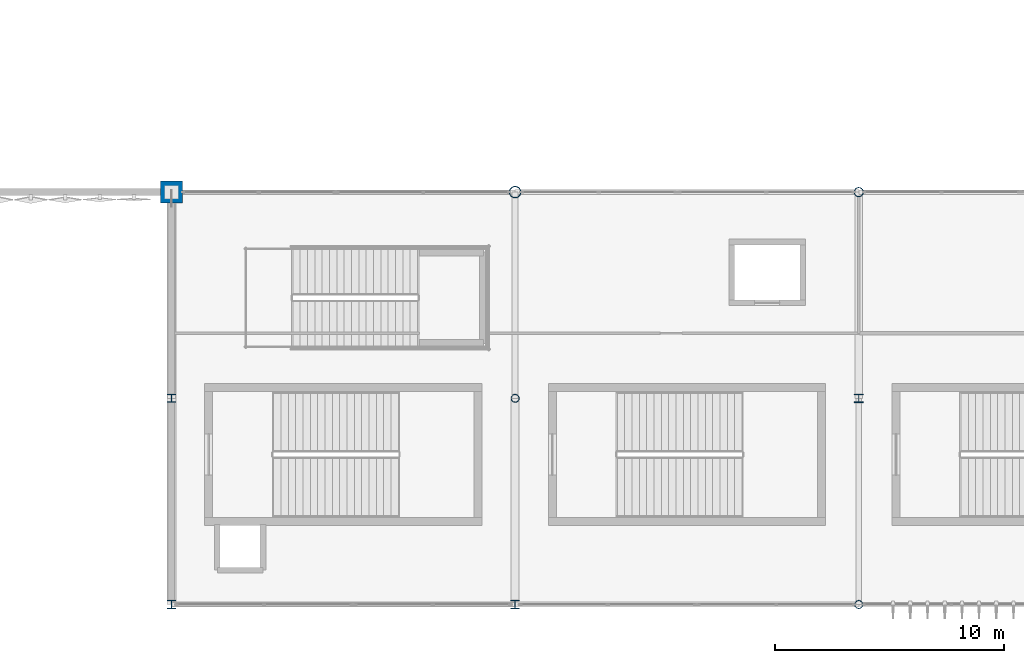
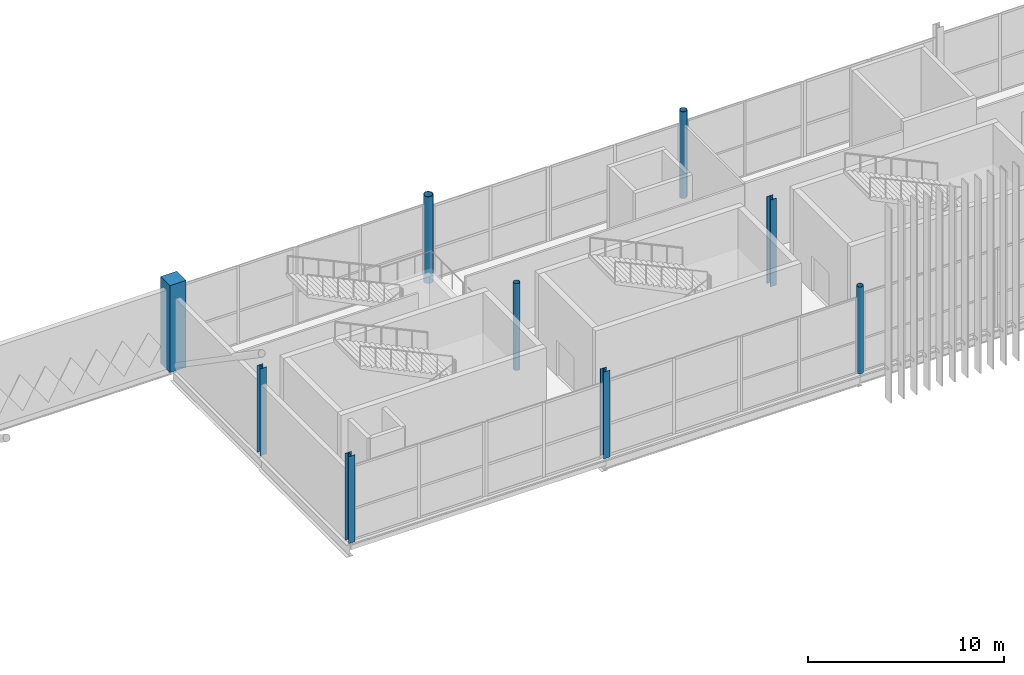
# One storey, part 3 of 119: 9 columns.
"""IFC4 building model written with IfcOpenShell, lengths in metres."""

from ifc_helpers import new_model, si_unit, direction, frame, origin, origin_2d, place, context, subcontext, project, spatial, rectangle, hollow_circle, i_section, extrude, material, material_profile, profile_set, type_object, element, save


model = new_model("IFC4")

# Units and contexts
model_context = context("Model", 3, precision=1e-05, world=origin(), true_north=direction((0.0, 1.0)))
body_context = subcontext(model_context, "Body", "Model", "MODEL_VIEW")
ifc_project = project(units=[si_unit("LENGTHUNIT", "METRE"), si_unit("AREAUNIT", "SQUARE_METRE"), si_unit("VOLUMEUNIT", "CUBIC_METRE"), si_unit("PLANEANGLEUNIT", "RADIAN"), si_unit("MASSUNIT", "GRAM", prefix="KILO")], contexts=[model_context])

# Site, building, storey
site_placement = place(None, origin())
site = spatial("IfcSite", under=ifc_project, at=site_placement, CompositionType="ELEMENT")
building_placement = place(site_placement, origin())
building = spatial("IfcBuilding", under=site, at=building_placement, Name="Qamarlyn Nura Convention Centre", CompositionType="ELEMENT")
storey_placement = place(building_placement, frame((0.0, 0.0, 5.39990234375)))
storey = spatial("IfcBuildingStorey", under=building, at=storey_placement, Name="L01", CompositionType="ELEMENT", Elevation=5.39990234375)

# Columns
ifc_material_1 = material(Name="Pearl-white PVDF steel ASTM A500 Grade C", Category="steel")
ifc_material_profile_1 = material_profile(ifc_material_1, hollow_circle(Radius=0.25390625, WallThickness=0.02001953125, at=origin_2d()), Name="CHS508X20")
ifc_profile_set_1 = profile_set([ifc_material_profile_1], Name="Pearl-white PVDF steel ASTM A500 Grade C")
column_type_1 = type_object("IfcColumnType", Name="COL-HALL-1", PredefinedType="COLUMN", material=ifc_profile_set_1)
column_1_placement = place(storey_placement, frame((75.0, 18.0, 0.0), z_axis=(0.0, 0.0, 1.0), x_axis=(1.0, 0.0, 0.0)))
element("IfcColumn", 1, at=column_1_placement, inside=storey, type_object=column_type_1, Name="L01 column 6/C", PredefinedType="COLUMN", context=body_context, shape_type="SweptSolid", body=[
    extrude(hollow_circle(Radius=0.25390625, WallThickness=0.02001953125, at=origin_2d()), origin(), (0.0, 0.0, 1.0), 5.400146484375),
])
ifc_material_2 = material(Name="Concrete C50/60", Category="concrete")
ifc_material_profile_2 = material_profile(ifc_material_2, rectangle(XDim=0.949951171875, YDim=0.949951171875, at=origin_2d()), Name="RC 950x950")
ifc_profile_set_2 = profile_set([ifc_material_profile_2], Name="Concrete C50/60")
column_type_2 = type_object("IfcColumnType", Name="COL-HALL-2", PredefinedType="COLUMN", material=ifc_profile_set_2)
column_2_placement = place(storey_placement, frame((60.0, 18.0, 0.0), z_axis=(0.0, 0.0, 1.0), x_axis=(1.0, 0.0, 0.0)))
element("IfcColumn", 2, at=column_2_placement, inside=storey, type_object=column_type_2, Name="L01 column 5/C", PredefinedType="COLUMN", context=body_context, shape_type="SweptSolid", body=[
    extrude(rectangle(XDim=0.949951171875, YDim=0.949951171875, at=origin_2d()), origin(), (0.0, 0.0, 1.0), 5.400146484375),
])
ifc_material_profile_3 = material_profile(ifc_material_1, hollow_circle(Radius=0.203125, WallThickness=0.01611328125, at=origin_2d()), Name="CHS406.4X16")
ifc_profile_set_3 = profile_set([ifc_material_profile_3], Name="Pearl-white PVDF steel ASTM A500 Grade C")
column_type_3 = type_object("IfcColumnType", Name="COL-TUBE-1", PredefinedType="COLUMN", material=ifc_profile_set_3)
column_3_placement = place(storey_placement, frame((90.0, 18.0, 0.0), z_axis=(0.0, 0.0, 1.0), x_axis=(1.0, 0.0, 0.0)))
element("IfcColumn", 3, at=column_3_placement, inside=storey, type_object=column_type_3, Name="L01 column 7/C", PredefinedType="COLUMN", context=body_context, shape_type="SweptSolid", body=[
    extrude(hollow_circle(Radius=0.203125, WallThickness=0.01611328125, at=origin_2d()), origin(), (0.0, 0.0, 1.0), 5.400146484375),
])
ifc_material_profile_4 = material_profile(ifc_material_1, hollow_circle(Radius=0.177734375, WallThickness=0.01611328125, at=origin_2d()), Name="CHS355.6X16")
ifc_profile_set_4 = profile_set([ifc_material_profile_4], Name="Pearl-white PVDF steel ASTM A500 Grade C")
column_type_4 = type_object("IfcColumnType", Name="COL-TUBE-2", PredefinedType="COLUMN", material=ifc_profile_set_4)
for number, where, z_axis, x_axis, name in (
    (4, (75.0, 9.0, 0.0), (0.0, 0.0, 1.0), (1.0, 0.0, 0.0), "L01 column 6/B"),
    (5, (90.0, 0.0, 0.0), (0.0, 0.0, 1.0), (1.0, 0.0, 0.0), "L01 column 7/A"),
):
    element("IfcColumn", number, at=place(storey_placement, frame(where, z_axis=z_axis, x_axis=x_axis)), inside=storey, type_object=column_type_4, Name=name, PredefinedType="COLUMN", context=body_context, shape_type="SweptSolid", body=[
        extrude(hollow_circle(Radius=0.177734375, WallThickness=0.01611328125, at=origin_2d()), origin(), (0.0, 0.0, 1.0), 5.400146484375),
    ])
ifc_material_3 = material(Name="Steel ASTM A992", Category="steel")
ifc_material_profile_5 = material_profile(ifc_material_3, i_section(OverallWidth=0.3740234375, OverallDepth=0.3720703125, WebThickness=0.016357421875, FlangeThickness=0.026123046875, FilletRadius=0.01611328125, at=origin_2d()), Name="W360X196")
ifc_profile_set_5 = profile_set([ifc_material_profile_5], Name="Steel ASTM A992")
column_type_5 = type_object("IfcColumnType", Name="COL-WING-2", PredefinedType="COLUMN", material=ifc_profile_set_5)
for number, where, z_axis, x_axis, name in (
    (6, (60.0, 0.0, 0.0), (0.0, 0.0, 1.0), (1.0, 0.0, 0.0), "L01 column 5/A"),
    (7, (90.0, 9.0, 0.0), (0.0, 0.0, 1.0), (1.0, 0.0, 0.0), "L01 column 7/B"),
):
    element("IfcColumn", number, at=place(storey_placement, frame(where, z_axis=z_axis, x_axis=x_axis)), inside=storey, type_object=column_type_5, Name=name, PredefinedType="COLUMN", context=body_context, shape_type="SweptSolid", body=[
        extrude(i_section(OverallWidth=0.3740234375, OverallDepth=0.3720703125, WebThickness=0.016357421875, FlangeThickness=0.026123046875, FilletRadius=0.01611328125, at=origin_2d()), origin(), (0.0, 0.0, 1.0), 5.400146484375),
    ])
ifc_material_profile_6 = material_profile(ifc_material_3, i_section(OverallWidth=0.368896484375, OverallDepth=0.35595703125, WebThickness=0.01123046875, FlangeThickness=0.01806640625, FilletRadius=0.014892578125, at=origin_2d()), Name="W360X134")
ifc_profile_set_6 = profile_set([ifc_material_profile_6], Name="Steel ASTM A992")
column_type_6 = type_object("IfcColumnType", Name="COL-WING-3", PredefinedType="COLUMN", material=ifc_profile_set_6)
for number, where, z_axis, x_axis, name in (
    (8, (60.0, 9.0, 0.0), (0.0, 0.0, 1.0), (1.0, 0.0, 0.0), "L01 column 5/B"),
    (9, (75.0, 0.0, 0.0), (0.0, 0.0, 1.0), (1.0, 0.0, 0.0), "L01 column 6/A"),
):
    element("IfcColumn", number, at=place(storey_placement, frame(where, z_axis=z_axis, x_axis=x_axis)), inside=storey, type_object=column_type_6, Name=name, PredefinedType="COLUMN", context=body_context, shape_type="SweptSolid", body=[
        extrude(i_section(OverallWidth=0.368896484375, OverallDepth=0.35595703125, WebThickness=0.01123046875, FlangeThickness=0.01806640625, FilletRadius=0.014892578125, at=origin_2d()), origin(), (0.0, 0.0, 1.0), 5.400146484375),
    ])

save(model, "model.ifc")
